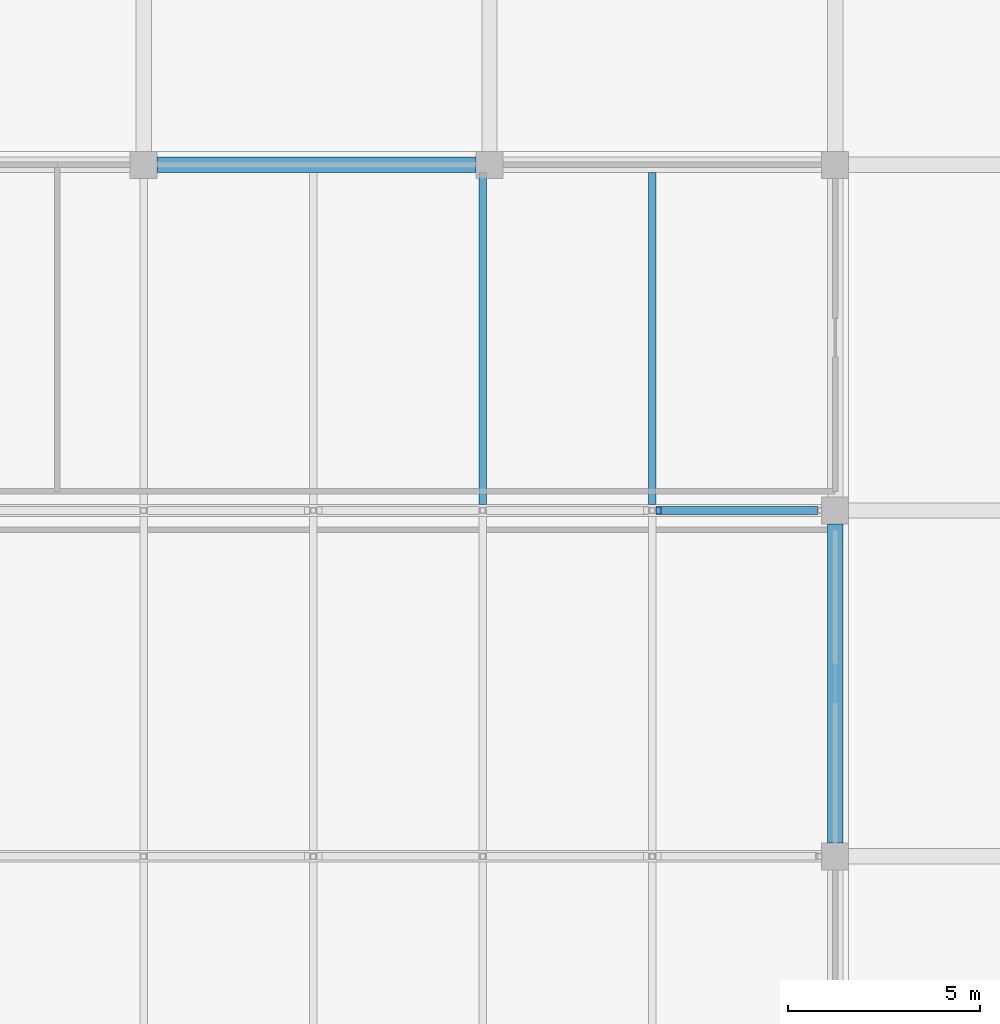
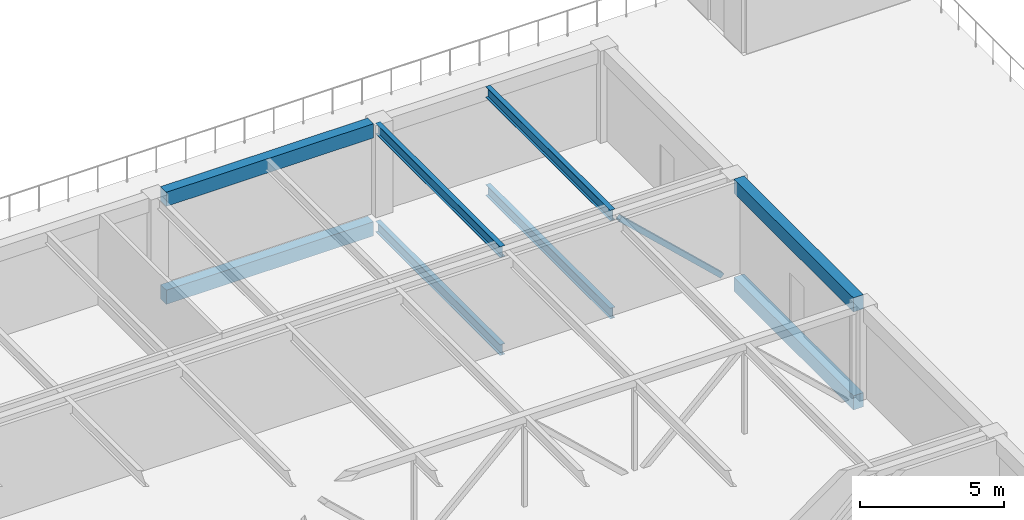
# One storey, part 14 of 30: 8 beams, 1 member.
"""IFC4 building model written with IfcOpenShell, lengths in metres."""

from ifc_helpers import new_model, si_unit, direction, frame, origin, origin_2d, place, context, subcontext, project, spatial, rectangle, hollow_rectangle, i_section, extrude, material, material_profile, profile_set, type_object, element, save


model = new_model("IFC4")

# Units and contexts
model_context = context("Model", 3, precision=1e-05, world=origin(), true_north=direction((0.0, 1.0)))
body_context = subcontext(model_context, "Body", "Model", "MODEL_VIEW")
ifc_project = project(units=[si_unit("LENGTHUNIT", "METRE"), si_unit("AREAUNIT", "SQUARE_METRE"), si_unit("VOLUMEUNIT", "CUBIC_METRE"), si_unit("PLANEANGLEUNIT", "RADIAN"), si_unit("MASSUNIT", "GRAM", prefix="KILO")], contexts=[model_context])

# Site, building, storey
site_placement = place(None, origin())
site = spatial("IfcSite", under=ifc_project, at=site_placement, CompositionType="ELEMENT")
building_placement = place(site_placement, origin())
building = spatial("IfcBuilding", under=site, at=building_placement, Name="Corbel Stack Research Tower", CompositionType="ELEMENT")
storey_placement = place(building_placement, frame((0.0, 0.0, 19.5)))
storey = spatial("IfcBuildingStorey", under=building, at=storey_placement, Name="L04", CompositionType="ELEMENT", Elevation=19.5)

# Beams
ifc_material_1 = material(Name="Concrete C40/50", Category="concrete")
ifc_material_profile_1 = material_profile(ifc_material_1, rectangle(XDim=0.39990234375, YDim=0.60009765625, at=origin_2d()), Name="RC 400 x 600")
ifc_profile_set_1 = profile_set([ifc_material_profile_1], Name="Concrete C40/50")
beam_type_1 = type_object("IfcBeamType", Name="HB1 RC beam 400 x 600", PredefinedType="BEAM", material=ifc_profile_set_1)
beam_1_placement = place(storey_placement, frame((69.300048828125, 18.0, -0.550048828125), z_axis=(1.0, 0.0, 0.0), x_axis=(0.0, 1.0, 0.0)))
element("IfcBeam", 1, at=beam_1_placement, inside=storey, type_object=beam_type_1, Name="Floor beam L04 H5HF-H6HF", PredefinedType="BEAM", context=body_context, shape_type="SweptSolid", body=[
    extrude(rectangle(XDim=0.39990234375, YDim=0.60009765625, at=origin_2d()), origin(), (0.0, 0.0, 1.0), 8.300048828125),
])
beam_2_placement = place(storey_placement, frame((86.949951171875, 0.35009765625, -0.550048828125), z_axis=(0.0, 1.0, 0.0), x_axis=(-1.0, 0.0, 0.0)))
element("IfcBeam", 2, at=beam_2_placement, inside=storey, type_object=beam_type_1, Name="Floor beam L04 H7HD-H7HE", PredefinedType="BEAM", context=body_context, shape_type="SweptSolid", body=[
    extrude(rectangle(XDim=0.39990234375, YDim=0.60009765625, at=origin_2d()), origin(), (0.0, 0.0, 1.0), 8.2998046875),
])
beam_3_placement = place(storey_placement, frame((69.300048828125, 18.0, 3.60009765625), z_axis=(1.0, 0.0, 0.0), x_axis=(0.0, 1.0, 0.0)))
element("IfcBeam", 3, at=beam_3_placement, inside=storey, type_object=beam_type_1, Name="Floor beam R H5HF-H6HF", PredefinedType="BEAM", context=body_context, shape_type="SweptSolid", body=[
    extrude(rectangle(XDim=0.39990234375, YDim=0.60009765625, at=origin_2d()), origin(), (0.0, 0.0, 1.0), 8.300048828125),
])
beam_4_placement = place(storey_placement, frame((86.949951171875, 0.35009765625, 3.60009765625), z_axis=(0.0, 1.0, 0.0), x_axis=(-1.0, 0.0, 0.0)))
element("IfcBeam", 4, at=beam_4_placement, inside=storey, type_object=beam_type_1, Name="Floor beam R H7HD-H7HE", PredefinedType="BEAM", context=body_context, shape_type="SweptSolid", body=[
    extrude(rectangle(XDim=0.39990234375, YDim=0.60009765625, at=origin_2d()), origin(), (0.0, 0.0, 1.0), 8.2998046875),
])
ifc_material_2 = material(Name="Steel S355", Category="steel")
ifc_material_profile_2 = material_profile(ifc_material_2, i_section(OverallWidth=0.18994140625, OverallDepth=0.45703125, WebThickness=0.009033203125, FlangeThickness=0.013916015625, at=origin_2d()), Name="W18x50")
ifc_profile_set_2 = profile_set([ifc_material_profile_2], Name="Steel S355")
beam_type_2 = type_object("IfcBeamType", Name="HB3 steel beam W18x50", PredefinedType="BEAM", material=ifc_profile_set_2)
for number, where, z_axis, x_axis, name in (
    (5, (77.77490234375, 9.152587890625, -0.478515625), (0.0, 1.0, 0.0), (-1.0, 0.0, 0.0), "Steel floor beam L04 bay 4 line 6"),
    (6, (82.1875, 9.152587890625, -0.478515625), (0.0, 1.0, 0.0), (-1.0, 0.0, 0.0), "Steel floor beam L04 bay 4 line 7"),
    (7, (77.77490234375, 9.152587890625, 3.67138671875), (0.0, 1.0, 0.0), (-1.0, 0.0, 0.0), "Steel floor beam R bay 4 line 6"),
    (8, (82.1875, 9.152587890625, 3.67138671875), (0.0, 1.0, 0.0), (-1.0, 0.0, 0.0), "Steel floor beam R bay 4 line 7"),
):
    element("IfcBeam", number, at=place(storey_placement, frame(where, z_axis=z_axis, x_axis=x_axis)), inside=storey, type_object=beam_type_2, Name=name, PredefinedType="BEAM", context=body_context, shape_type="SweptSolid", body=[
        extrude(i_section(OverallWidth=0.18994140625, OverallDepth=0.45703125, WebThickness=0.009033203125, FlangeThickness=0.013916015625, at=origin_2d()), origin(), (0.0, 0.0, 1.0), 8.6474609375),
    ])

# Member
ifc_material_3 = material(Name="Steel S355", Category="steel")
ifc_material_profile_3 = material_profile(ifc_material_3, hollow_rectangle(XDim=0.202880859375, YDim=0.202880859375, WallThickness=0.0087890625, at=origin_2d()), Name="HSS8x8x3/8")
ifc_profile_set_3 = profile_set([ifc_material_profile_3], Name="Steel S355")
member_type = type_object("IfcMemberType", Name="HT2 truss diagonal HSS8x8x3/8", PredefinedType="BRACE", material=ifc_profile_set_3)
member_placement = place(storey_placement, frame((82.349609375, 9.0, 3.594970703125), z_axis=(0.728438769744, 0.0, -0.685110909805), x_axis=(0.0, 1.0, 0.0)))
element("IfcMember", 9, at=member_placement, inside=storey, type_object=member_type, Name="Truss TB3 diagonal 8", PredefinedType="BRACE", context=body_context, shape_type="SweptSolid", body=[
    extrude(hollow_rectangle(XDim=0.202880859375, YDim=0.202880859375, WallThickness=0.0087890625, at=origin_2d()), origin(), (0.0, 0.0, 1.0), 5.6123046875),
])

save(model, "model.ifc")
